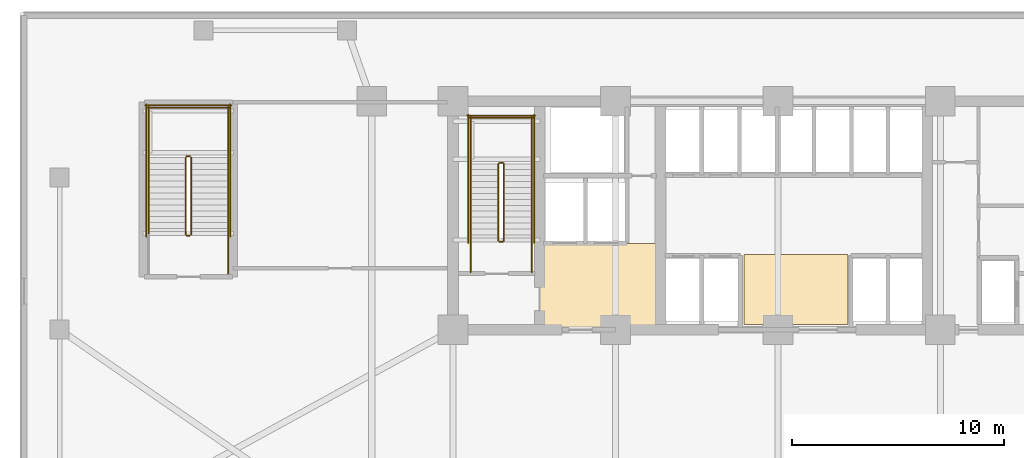
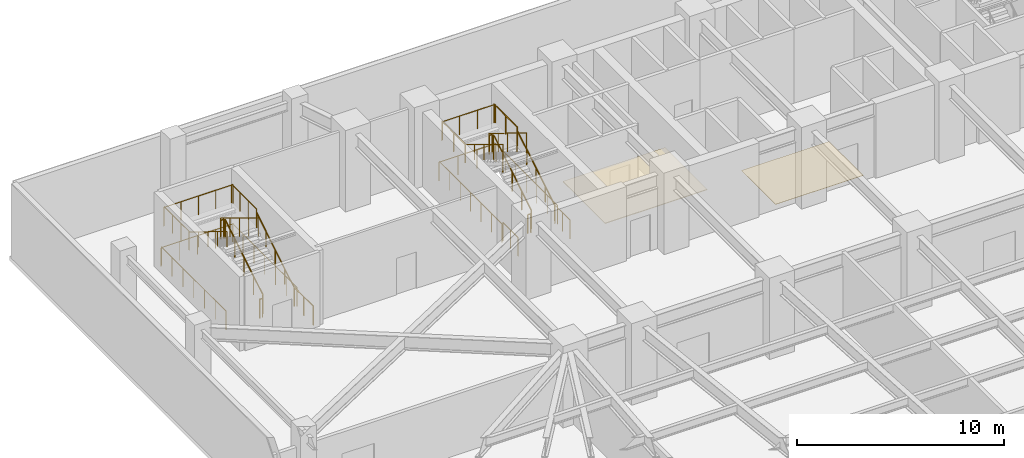
# One storey, part 12 of 15: 27 railings, 2 coverings.
"""IFC4 building model written with IfcOpenShell, lengths in metres."""

from ifc_helpers import new_model, si_unit, direction, frame, origin, origin_2d, place, context, subcontext, project, spatial, polyline, circle, outline, extrude, material, layer, layer_set, type_object, element, save


model = new_model("IFC4")

# Units and contexts
model_context = context("Model", 3, precision=1e-05, world=origin(), true_north=direction((0.0, 1.0)))
body_context = subcontext(model_context, "Body", "Model", "MODEL_VIEW")
ifc_project = project(units=[si_unit("LENGTHUNIT", "METRE"), si_unit("AREAUNIT", "SQUARE_METRE"), si_unit("VOLUMEUNIT", "CUBIC_METRE"), si_unit("PLANEANGLEUNIT", "RADIAN"), si_unit("MASSUNIT", "GRAM", prefix="KILO")], contexts=[model_context])

# Site, building, storey
site_placement = place(None, origin())
site = spatial("IfcSite", under=ifc_project, at=site_placement, CompositionType="ELEMENT")
building_placement = place(site_placement, origin())
building = spatial("IfcBuilding", under=site, at=building_placement, Name="Yelkora Congress Tower", CompositionType="ELEMENT")
storey_placement = place(building_placement, frame((0.0, 0.0, 20.39990234375)))
storey = spatial("IfcBuildingStorey", under=building, at=storey_placement, Name="L04", CompositionType="ELEMENT", Elevation=20.39990234375)

# Coverings
ifc_material_1 = material(Name="Perforated mineral-fibre acoustic ceiling", Category="gypsum")
ifc_layer_1 = layer(ifc_material_1, 0.0400390625)
ifc_layer_set_1 = layer_set([ifc_layer_1], Name="Perforated mineral-fibre acoustic ceiling")
covering_type_1 = type_object("IfcCoveringType", Name="COV-CEIL-ACOUSTIC-40", PredefinedType="CEILING", material=ifc_layer_set_1)
covering_1_placement = place(storey_placement, frame((0.0, 0.0, 2.400146484375)))
element("IfcCovering", 1, at=covering_1_placement, inside=storey, type_object=covering_type_1, Name="L04 Firefighting Lobby Acoustic Ceiling", PredefinedType="CEILING", context=body_context, shape_type="SweptSolid", body=[
    extrude(outline(polyline([(27.14990234375, 35.39990234375), (32.85009765625, 35.39990234375), (32.85009765625, 39.47998046875), (27.14990234375, 39.47998046875), (27.14990234375, 35.39990234375)])), origin(), (0.0, 0.0, 1.0), 0.0400390625),
])
ifc_material_2 = material(Name="Polished Anatolian grey granite tile", Category="masonry")
ifc_layer_2 = layer(ifc_material_2, 0.02001953125)
ifc_layer_set_2 = layer_set([ifc_layer_2], Name="Polished Anatolian grey granite tile")
covering_type_2 = type_object("IfcCoveringType", Name="COV-FLOOR-GRANITE-20", PredefinedType="FLOORING", material=ifc_layer_set_2)
covering_2_placement = place(storey_placement, origin())
element("IfcCovering", 2, at=covering_2_placement, inside=storey, type_object=covering_type_2, Name="L04 Lift Lobby Granite Flooring", PredefinedType="FLOORING", context=body_context, shape_type="SweptSolid", body=[
    extrude(outline(polyline([(36.800048828125, 35.64990234375), (41.699951171875, 35.64990234375), (41.699951171875, 38.949951171875), (36.800048828125, 38.949951171875), (36.800048828125, 35.64990234375)])), origin(), (0.0, 0.0, 1.0), 0.02001953125),
])

# Railings
ifc_material_3 = material(Name="Painted galvanised steel stair well guard with vertical infill", Category="steel")
ifc_layer_3 = layer(ifc_material_3, 0.06005859375)
ifc_layer_set_3 = layer_set([ifc_layer_3], Name="Painted galvanised steel stair well guard with vertical infill")
railing_type_1 = type_object("IfcRailingType", Name="RAIL-STAIR-GUARD-1120", PredefinedType="GUARDRAIL", material=ifc_layer_set_3)
railing_1_placement = place(storey_placement, frame((25.449951171875, 39.60009765625, 0.171630859375)))
element("IfcRailing", 3, at=railing_1_placement, inside=storey, type_object=railing_type_1, Name="ST-01 L04 Stair Well Guardrail 1", PredefinedType="GUARDRAIL", context=body_context, shape_type="SweptSolid", body=[
    extrude(circle(Radius=0.02392578125, at=origin_2d()), frame((0.0, 0.0, 1.09619140625), z_axis=(0.0, 0.852850264322, 0.5221555579), x_axis=(-1.0, 0.0, 0.0)), (0.0, 0.0, 1.0), 4.267822265625),
    extrude(circle(Radius=0.02099609375, at=origin_2d()), origin(), (0.0, 0.0, 1.0), 1.072021484375),
    extrude(circle(Radius=0.02099609375, at=origin_2d()), frame((0.0, 0.909912109375, 0.55712890625)), (0.0, 0.0, 1.0), 1.072021484375),
    extrude(circle(Radius=0.02099609375, at=origin_2d()), frame((0.0, 1.81982421875, 1.1142578125)), (0.0, 0.0, 1.0), 1.072021484375),
    extrude(circle(Radius=0.02099609375, at=origin_2d()), frame((0.0, 2.72998046875, 1.67138671875)), (0.0, 0.0, 1.0), 1.072021484375),
    extrude(circle(Radius=0.02099609375, at=origin_2d()), frame((0.0, 3.639892578125, 2.228515625)), (0.0, 0.0, 1.0), 1.072021484375),
])
railing_2_placement = place(storey_placement, frame((25.39990234375, 43.2900390625, 2.400146484375)))
element("IfcRailing", 4, at=railing_2_placement, inside=storey, type_object=railing_type_1, Name="ST-01 L04 Stair Well Guardrail 2", PredefinedType="GUARDRAIL", context=body_context, shape_type="SweptSolid", body=[
    extrude(circle(Radius=0.02392578125, at=origin_2d()), frame((0.0, 0.0, 1.09619140625), z_axis=(-1.0, 0.0, 0.0), x_axis=(0.0, -1.0, 0.0)), (0.0, 0.0, 1.0), 0.159912109375),
    extrude(circle(Radius=0.02099609375, at=origin_2d()), origin(), (0.0, 0.0, 1.0), 1.072021484375),
    extrude(circle(Radius=0.02099609375, at=origin_2d()), frame((-0.159912109375, 0.0, 0.0)), (0.0, 0.0, 1.0), 1.072021484375),
])
for number, where, name in (
    (5, (26.77001953125, 43.239990234375, 2.400146484375), "ST-01 L04 Stair Well Guardrail 3"),
    (6, (23.8701171875, 43.239990234375, 2.400146484375), "ST-01 L04 Stair Well Guardrail 4"),
):
    element("IfcRailing", number, at=place(storey_placement, frame(where)), inside=storey, type_object=railing_type_1, Name=name, PredefinedType="GUARDRAIL", context=body_context, shape_type="SweptSolid", body=[
        extrude(circle(Radius=0.02392578125, at=origin_2d()), frame((0.0, 0.0, 1.09619140625), z_axis=(0.0, 1.0, 0.0), x_axis=(-1.0, 0.0, 0.0)), (0.0, 0.0, 1.0), 2.22998046875),
        extrude(circle(Radius=0.02099609375, at=origin_2d()), origin(), (0.0, 0.0, 1.0), 1.072021484375),
        extrude(circle(Radius=0.02099609375, at=origin_2d()), frame((0.0, 1.114990234375, 0.0)), (0.0, 0.0, 1.0), 1.072021484375),
        extrude(circle(Radius=0.02099609375, at=origin_2d()), frame((0.0, 2.22998046875, 0.0)), (0.0, 0.0, 1.0), 1.072021484375),
    ])
railing_3_placement = place(storey_placement, frame((26.820068359375, 45.419921875, 2.400146484375)))
element("IfcRailing", 7, at=railing_3_placement, inside=storey, type_object=railing_type_1, Name="ST-01 L04 Stair Well Guardrail 5", PredefinedType="GUARDRAIL", context=body_context, shape_type="SweptSolid", body=[
    extrude(circle(Radius=0.02392578125, at=origin_2d()), frame((0.0, 0.0, 1.09619140625), z_axis=(-1.0, 0.0, 0.0), x_axis=(0.0, -1.0, 0.0)), (0.0, 0.0, 1.0), 3.0),
    extrude(circle(Radius=0.02099609375, at=origin_2d()), origin(), (0.0, 0.0, 1.0), 1.072021484375),
    extrude(circle(Radius=0.02099609375, at=origin_2d()), frame((-1.0, 0.0, 0.0)), (0.0, 0.0, 1.0), 1.072021484375),
    extrude(circle(Radius=0.02099609375, at=origin_2d()), frame((-2.0, 0.0, 0.0)), (0.0, 0.0, 1.0), 1.072021484375),
    extrude(circle(Radius=0.02099609375, at=origin_2d()), frame((-3.0, 0.0, 0.0)), (0.0, 0.0, 1.0), 1.072021484375),
])
railing_4_placement = place(storey_placement, frame((25.18994140625, 43.239990234375, 2.571533203125)))
element("IfcRailing", 8, at=railing_4_placement, inside=storey, type_object=railing_type_1, Name="ST-01 L04 Stair Well Guardrail 6", PredefinedType="GUARDRAIL", context=body_context, shape_type="SweptSolid", body=[
    extrude(circle(Radius=0.02392578125, at=origin_2d()), frame((0.0, 0.0, 1.09619140625), z_axis=(0.0, -0.852850264322, 0.5221555579), x_axis=(1.0, 0.0, 0.0)), (0.0, 0.0, 1.0), 4.267822265625),
    extrude(circle(Radius=0.02099609375, at=origin_2d()), origin(), (0.0, 0.0, 1.0), 1.072021484375),
    extrude(circle(Radius=0.02099609375, at=origin_2d()), frame((0.0, -0.909912109375, 0.55712890625)), (0.0, 0.0, 1.0), 1.072021484375),
    extrude(circle(Radius=0.02099609375, at=origin_2d()), frame((0.0, -1.81982421875, 1.1142578125)), (0.0, 0.0, 1.0), 1.072021484375),
    extrude(circle(Radius=0.02099609375, at=origin_2d()), frame((0.0, -2.72998046875, 1.67138671875)), (0.0, 0.0, 1.0), 1.072021484375),
    extrude(circle(Radius=0.02099609375, at=origin_2d()), frame((0.0, -3.639892578125, 2.228515625)), (0.0, 0.0, 1.0), 1.072021484375),
])
railing_5_placement = place(storey_placement, frame((25.39990234375, 39.550048828125, 0.0)))
element("IfcRailing", 9, at=railing_5_placement, inside=storey, type_object=railing_type_1, Name="ST-01 L04 Stair Well Guardrail 7", PredefinedType="GUARDRAIL", context=body_context, shape_type="SweptSolid", body=[
    extrude(circle(Radius=0.02392578125, at=origin_2d()), frame((0.0, 0.0, 1.09619140625), z_axis=(-1.0, 0.0, 0.0), x_axis=(0.0, -1.0, 0.0)), (0.0, 0.0, 1.0), 0.159912109375),
    extrude(circle(Radius=0.02099609375, at=origin_2d()), origin(), (0.0, 0.0, 1.0), 1.072021484375),
    extrude(circle(Radius=0.02099609375, at=origin_2d()), frame((-0.159912109375, 0.0, 0.0)), (0.0, 0.0, 1.0), 1.072021484375),
])
for number, where, name in (
    (10, (26.77001953125, 38.1201171875, 0.0), "ST-01 L04 Stair Well Guardrail 8"),
    (11, (23.8701171875, 38.1201171875, 0.0), "ST-01 L04 Stair Well Guardrail 9"),
):
    element("IfcRailing", number, at=place(storey_placement, frame(where)), inside=storey, type_object=railing_type_1, Name=name, PredefinedType="GUARDRAIL", context=body_context, shape_type="SweptSolid", body=[
        extrude(circle(Radius=0.02392578125, at=origin_2d()), frame((0.0, 0.0, 1.09619140625), z_axis=(0.0, 1.0, 0.0), x_axis=(-1.0, 0.0, 0.0)), (0.0, 0.0, 1.0), 1.47998046875),
        extrude(circle(Radius=0.02099609375, at=origin_2d()), origin(), (0.0, 0.0, 1.0), 1.072021484375),
        extrude(circle(Radius=0.02099609375, at=origin_2d()), frame((0.0, 0.739990234375, 0.0)), (0.0, 0.0, 1.0), 1.072021484375),
        extrude(circle(Radius=0.02099609375, at=origin_2d()), frame((0.0, 1.47998046875, 0.0)), (0.0, 0.0, 1.0), 1.072021484375),
    ])
for number, where, name in (
    (12, (26.8701171875, 39.5, 0.0), "ST-01 L04 Stair Well Guardrail 10"),
    (13, (23.77001953125, 39.5, 0.0), "ST-01 L04 Stair Well Guardrail 11"),
):
    element("IfcRailing", number, at=place(storey_placement, frame(where)), inside=storey, type_object=railing_type_1, Name=name, PredefinedType="GUARDRAIL", context=body_context, shape_type="SweptSolid", body=[
        extrude(circle(Radius=0.02392578125, at=origin_2d()), frame((0.0, 0.0, 1.09619140625), z_axis=(0.0, 1.0, 0.0), x_axis=(-1.0, 0.0, 0.0)), (0.0, 0.0, 1.0), 6.070068359375),
        extrude(circle(Radius=0.02099609375, at=origin_2d()), origin(), (0.0, 0.0, 1.0), 1.072021484375),
        extrude(circle(Radius=0.02099609375, at=origin_2d()), frame((0.0, 1.01171875, 0.0)), (0.0, 0.0, 1.0), 1.072021484375),
        extrude(circle(Radius=0.02099609375, at=origin_2d()), frame((0.0, 2.0234375, 0.0)), (0.0, 0.0, 1.0), 1.072021484375),
        extrude(circle(Radius=0.02099609375, at=origin_2d()), frame((0.0, 3.03515625, 0.0)), (0.0, 0.0, 1.0), 1.072021484375),
        extrude(circle(Radius=0.02099609375, at=origin_2d()), frame((0.0, 4.046630859375, 0.0)), (0.0, 0.0, 1.0), 1.072021484375),
        extrude(circle(Radius=0.02099609375, at=origin_2d()), frame((0.0, 5.058349609375, 0.0)), (0.0, 0.0, 1.0), 1.072021484375),
        extrude(circle(Radius=0.02099609375, at=origin_2d()), frame((0.0, 6.070068359375, 0.0)), (0.0, 0.0, 1.0), 1.072021484375),
    ])
railing_6_placement = place(storey_placement, frame((26.919921875, 45.52001953125, 0.0)))
element("IfcRailing", 14, at=railing_6_placement, inside=storey, type_object=railing_type_1, Name="ST-01 L04 Stair Well Guardrail 12", PredefinedType="GUARDRAIL", context=body_context, shape_type="SweptSolid", body=[
    extrude(circle(Radius=0.02392578125, at=origin_2d()), frame((0.0, 0.0, 1.09619140625), z_axis=(-1.0, 0.0, 0.0), x_axis=(0.0, -1.0, 0.0)), (0.0, 0.0, 1.0), 3.199951171875),
    extrude(circle(Radius=0.02099609375, at=origin_2d()), origin(), (0.0, 0.0, 1.0), 1.072021484375),
    extrude(circle(Radius=0.02099609375, at=origin_2d()), frame((-1.066650390625, 0.0, 0.0)), (0.0, 0.0, 1.0), 1.072021484375),
    extrude(circle(Radius=0.02099609375, at=origin_2d()), frame((-2.13330078125, 0.0, 0.0)), (0.0, 0.0, 1.0), 1.072021484375),
    extrude(circle(Radius=0.02099609375, at=origin_2d()), frame((-3.199951171875, 0.0, 0.0)), (0.0, 0.0, 1.0), 1.072021484375),
])
railing_7_placement = place(storey_placement, frame((10.659912109375, 39.89990234375, 0.171630859375)))
element("IfcRailing", 15, at=railing_7_placement, inside=storey, type_object=railing_type_1, Name="ST-P1 L04 Stair Well Guardrail 1", PredefinedType="GUARDRAIL", context=body_context, shape_type="SweptSolid", body=[
    extrude(circle(Radius=0.02392578125, at=origin_2d()), frame((0.0, 0.0, 1.09619140625), z_axis=(0.0, 0.852865859571, 0.52213008492), x_axis=(-1.0, 0.0, 0.0)), (0.0, 0.0, 1.0), 4.26806640625),
    extrude(circle(Radius=0.02099609375, at=origin_2d()), origin(), (0.0, 0.0, 1.0), 1.072021484375),
    extrude(circle(Radius=0.02099609375, at=origin_2d()), frame((0.0, 0.91015625, 0.55712890625)), (0.0, 0.0, 1.0), 1.072021484375),
    extrude(circle(Radius=0.02099609375, at=origin_2d()), frame((0.0, 1.820068359375, 1.1142578125)), (0.0, 0.0, 1.0), 1.072021484375),
    extrude(circle(Radius=0.02099609375, at=origin_2d()), frame((0.0, 2.72998046875, 1.67138671875)), (0.0, 0.0, 1.0), 1.072021484375),
    extrude(circle(Radius=0.02099609375, at=origin_2d()), frame((0.0, 3.64013671875, 2.228515625)), (0.0, 0.0, 1.0), 1.072021484375),
])
railing_8_placement = place(storey_placement, frame((10.610107421875, 43.590087890625, 2.400146484375)))
element("IfcRailing", 16, at=railing_8_placement, inside=storey, type_object=railing_type_1, Name="ST-P1 L04 Stair Well Guardrail 2", PredefinedType="GUARDRAIL", context=body_context, shape_type="SweptSolid", body=[
    extrude(circle(Radius=0.02392578125, at=origin_2d()), frame((0.0, 0.0, 1.09619140625), z_axis=(-1.0, 0.0, 0.0), x_axis=(0.0, -1.0, 0.0)), (0.0, 0.0, 1.0), 0.16015625),
    extrude(circle(Radius=0.02099609375, at=origin_2d()), origin(), (0.0, 0.0, 1.0), 1.072021484375),
    extrude(circle(Radius=0.02099609375, at=origin_2d()), frame((-0.16015625, 0.0, 0.0)), (0.0, 0.0, 1.0), 1.072021484375),
])
for number, where, name in (
    (17, (12.409912109375, 43.5400390625, 2.400146484375), "ST-P1 L04 Stair Well Guardrail 3"),
    (18, (8.64990234375, 43.5400390625, 2.400146484375), "ST-P1 L04 Stair Well Guardrail 4"),
):
    element("IfcRailing", number, at=place(storey_placement, frame(where)), inside=storey, type_object=railing_type_1, Name=name, PredefinedType="GUARDRAIL", context=body_context, shape_type="SweptSolid", body=[
        extrude(circle(Radius=0.02392578125, at=origin_2d()), frame((0.0, 0.0, 1.09619140625), z_axis=(0.0, 1.0, 0.0), x_axis=(-1.0, 0.0, 0.0)), (0.0, 0.0, 1.0), 2.409912109375),
        extrude(circle(Radius=0.02099609375, at=origin_2d()), origin(), (0.0, 0.0, 1.0), 1.072021484375),
        extrude(circle(Radius=0.02099609375, at=origin_2d()), frame((0.0, 0.80322265625, 0.0)), (0.0, 0.0, 1.0), 1.072021484375),
        extrude(circle(Radius=0.02099609375, at=origin_2d()), frame((0.0, 1.606689453125, 0.0)), (0.0, 0.0, 1.0), 1.072021484375),
        extrude(circle(Radius=0.02099609375, at=origin_2d()), frame((0.0, 2.409912109375, 0.0)), (0.0, 0.0, 1.0), 1.072021484375),
    ])
railing_9_placement = place(storey_placement, frame((12.4599609375, 45.89990234375, 2.400146484375)))
element("IfcRailing", 19, at=railing_9_placement, inside=storey, type_object=railing_type_1, Name="ST-P1 L04 Stair Well Guardrail 5", PredefinedType="GUARDRAIL", context=body_context, shape_type="SweptSolid", body=[
    extrude(circle(Radius=0.02392578125, at=origin_2d()), frame((0.0, 0.0, 1.09619140625), z_axis=(-1.0, 0.0, 0.0), x_axis=(0.0, -1.0, 0.0)), (0.0, 0.0, 1.0), 3.85986328125),
    extrude(circle(Radius=0.02099609375, at=origin_2d()), origin(), (0.0, 0.0, 1.0), 1.072021484375),
    extrude(circle(Radius=0.02099609375, at=origin_2d()), frame((-0.96484375, 0.0, 0.0)), (0.0, 0.0, 1.0), 1.072021484375),
    extrude(circle(Radius=0.02099609375, at=origin_2d()), frame((-1.929931640625, 0.0, 0.0)), (0.0, 0.0, 1.0), 1.072021484375),
    extrude(circle(Radius=0.02099609375, at=origin_2d()), frame((-2.89501953125, 0.0, 0.0)), (0.0, 0.0, 1.0), 1.072021484375),
    extrude(circle(Radius=0.02099609375, at=origin_2d()), frame((-3.85986328125, 0.0, 0.0)), (0.0, 0.0, 1.0), 1.072021484375),
])
railing_10_placement = place(storey_placement, frame((10.39990234375, 43.5400390625, 2.571533203125)))
element("IfcRailing", 20, at=railing_10_placement, inside=storey, type_object=railing_type_1, Name="ST-P1 L04 Stair Well Guardrail 6", PredefinedType="GUARDRAIL", context=body_context, shape_type="SweptSolid", body=[
    extrude(circle(Radius=0.02392578125, at=origin_2d()), frame((0.0, 0.0, 1.09619140625), z_axis=(0.0, -0.852865859571, 0.52213008492), x_axis=(1.0, 0.0, 0.0)), (0.0, 0.0, 1.0), 4.26806640625),
    extrude(circle(Radius=0.02099609375, at=origin_2d()), origin(), (0.0, 0.0, 1.0), 1.072021484375),
    extrude(circle(Radius=0.02099609375, at=origin_2d()), frame((0.0, -0.91015625, 0.55712890625)), (0.0, 0.0, 1.0), 1.072021484375),
    extrude(circle(Radius=0.02099609375, at=origin_2d()), frame((0.0, -1.820068359375, 1.1142578125)), (0.0, 0.0, 1.0), 1.072021484375),
    extrude(circle(Radius=0.02099609375, at=origin_2d()), frame((0.0, -2.72998046875, 1.67138671875)), (0.0, 0.0, 1.0), 1.072021484375),
    extrude(circle(Radius=0.02099609375, at=origin_2d()), frame((0.0, -3.64013671875, 2.228515625)), (0.0, 0.0, 1.0), 1.072021484375),
])
railing_11_placement = place(storey_placement, frame((10.610107421875, 39.85009765625, 0.0)))
element("IfcRailing", 21, at=railing_11_placement, inside=storey, type_object=railing_type_1, Name="ST-P1 L04 Stair Well Guardrail 7", PredefinedType="GUARDRAIL", context=body_context, shape_type="SweptSolid", body=[
    extrude(circle(Radius=0.02392578125, at=origin_2d()), frame((0.0, 0.0, 1.09619140625), z_axis=(-1.0, 0.0, 0.0), x_axis=(0.0, -1.0, 0.0)), (0.0, 0.0, 1.0), 0.16015625),
    extrude(circle(Radius=0.02099609375, at=origin_2d()), origin(), (0.0, 0.0, 1.0), 1.072021484375),
    extrude(circle(Radius=0.02099609375, at=origin_2d()), frame((-0.16015625, 0.0, 0.0)), (0.0, 0.0, 1.0), 1.072021484375),
])
railing_12_placement = place(storey_placement, frame((12.409912109375, 38.050048828125, 0.0)))
element("IfcRailing", 22, at=railing_12_placement, inside=storey, type_object=railing_type_1, Name="ST-P1 L04 Stair Well Guardrail 8", PredefinedType="GUARDRAIL", context=body_context, shape_type="SweptSolid", body=[
    extrude(circle(Radius=0.02392578125, at=origin_2d()), frame((0.0, 0.0, 1.09619140625), z_axis=(0.0, 1.0, 0.0), x_axis=(-1.0, 0.0, 0.0)), (0.0, 0.0, 1.0), 1.849853515625),
    extrude(circle(Radius=0.02099609375, at=origin_2d()), origin(), (0.0, 0.0, 1.0), 1.072021484375),
    extrude(circle(Radius=0.02099609375, at=origin_2d()), frame((0.0, 0.9248046875, 0.0)), (0.0, 0.0, 1.0), 1.072021484375),
    extrude(circle(Radius=0.02099609375, at=origin_2d()), frame((0.0, 1.849853515625, 0.0)), (0.0, 0.0, 1.0), 1.072021484375),
])
for number, where, name in (
    (23, (12.510009765625, 39.800048828125, 0.0), "ST-P1 L04 Stair Well Guardrail 10"),
    (24, (8.550048828125, 39.800048828125, 0.0), "ST-P1 L04 Stair Well Guardrail 11"),
):
    element("IfcRailing", number, at=place(storey_placement, frame(where)), inside=storey, type_object=railing_type_1, Name=name, PredefinedType="GUARDRAIL", context=body_context, shape_type="SweptSolid", body=[
        extrude(circle(Radius=0.02392578125, at=origin_2d()), frame((0.0, 0.0, 1.09619140625), z_axis=(0.0, 1.0, 0.0), x_axis=(-1.0, 0.0, 0.0)), (0.0, 0.0, 1.0), 6.25),
        extrude(circle(Radius=0.02099609375, at=origin_2d()), origin(), (0.0, 0.0, 1.0), 1.072021484375),
        extrude(circle(Radius=0.02099609375, at=origin_2d()), frame((0.0, 1.041748046875, 0.0)), (0.0, 0.0, 1.0), 1.072021484375),
        extrude(circle(Radius=0.02099609375, at=origin_2d()), frame((0.0, 2.083251953125, 0.0)), (0.0, 0.0, 1.0), 1.072021484375),
        extrude(circle(Radius=0.02099609375, at=origin_2d()), frame((0.0, 3.125, 0.0)), (0.0, 0.0, 1.0), 1.072021484375),
        extrude(circle(Radius=0.02099609375, at=origin_2d()), frame((0.0, 4.166748046875, 0.0)), (0.0, 0.0, 1.0), 1.072021484375),
        extrude(circle(Radius=0.02099609375, at=origin_2d()), frame((0.0, 5.208251953125, 0.0)), (0.0, 0.0, 1.0), 1.072021484375),
        extrude(circle(Radius=0.02099609375, at=origin_2d()), frame((0.0, 6.25, 0.0)), (0.0, 0.0, 1.0), 1.072021484375),
    ])
railing_13_placement = place(storey_placement, frame((12.56005859375, 46.0, 0.0)))
element("IfcRailing", 25, at=railing_13_placement, inside=storey, type_object=railing_type_1, Name="ST-P1 L04 Stair Well Guardrail 12", PredefinedType="GUARDRAIL", context=body_context, shape_type="SweptSolid", body=[
    extrude(circle(Radius=0.02392578125, at=origin_2d()), frame((0.0, 0.0, 1.09619140625), z_axis=(-1.0, 0.0, 0.0), x_axis=(0.0, -1.0, 0.0)), (0.0, 0.0, 1.0), 4.06005859375),
    extrude(circle(Radius=0.02099609375, at=origin_2d()), origin(), (0.0, 0.0, 1.0), 1.072021484375),
    extrude(circle(Radius=0.02099609375, at=origin_2d()), frame((-1.01513671875, 0.0, 0.0)), (0.0, 0.0, 1.0), 1.072021484375),
    extrude(circle(Radius=0.02099609375, at=origin_2d()), frame((-2.030029296875, 0.0, 0.0)), (0.0, 0.0, 1.0), 1.072021484375),
    extrude(circle(Radius=0.02099609375, at=origin_2d()), frame((-3.044921875, 0.0, 0.0)), (0.0, 0.0, 1.0), 1.072021484375),
    extrude(circle(Radius=0.02099609375, at=origin_2d()), frame((-4.06005859375, 0.0, 0.0)), (0.0, 0.0, 1.0), 1.072021484375),
])
ifc_material_4 = material(Name="Brushed stainless steel tubular handrail", Category="steel")
ifc_layer_4 = layer(ifc_material_4, 0.050048828125)
ifc_layer_set_4 = layer_set([ifc_layer_4], Name="Brushed stainless steel tubular handrail")
railing_type_2 = type_object("IfcRailingType", Name="RAIL-STAIR-HAND-920", PredefinedType="HANDRAIL", material=ifc_layer_set_4)
railing_14_placement = place(storey_placement, frame((26.77001953125, 39.60009765625, 0.171630859375)))
element("IfcRailing", 26, at=railing_14_placement, inside=storey, type_object=railing_type_2, Name="ST-01 L04 Pitch Handrail 1", PredefinedType="HANDRAIL", context=body_context, shape_type="SweptSolid", body=[
    extrude(circle(Radius=0.02392578125, at=origin_2d()), frame((0.0, 0.0, 0.89599609375), z_axis=(0.0, 0.852850264322, 0.5221555579), x_axis=(-1.0, 0.0, 0.0)), (0.0, 0.0, 1.0), 4.267822265625),
    extrude(circle(Radius=0.02099609375, at=origin_2d()), origin(), (0.0, 0.0, 1.0), 0.871826171875),
    extrude(circle(Radius=0.02099609375, at=origin_2d()), frame((0.0, 0.909912109375, 0.55712890625)), (0.0, 0.0, 1.0), 0.871826171875),
    extrude(circle(Radius=0.02099609375, at=origin_2d()), frame((0.0, 1.81982421875, 1.1142578125)), (0.0, 0.0, 1.0), 0.871826171875),
    extrude(circle(Radius=0.02099609375, at=origin_2d()), frame((0.0, 2.72998046875, 1.67138671875)), (0.0, 0.0, 1.0), 0.871826171875),
    extrude(circle(Radius=0.02099609375, at=origin_2d()), frame((0.0, 3.639892578125, 2.228515625)), (0.0, 0.0, 1.0), 0.871826171875),
])
railing_15_placement = place(storey_placement, frame((23.8701171875, 43.239990234375, 2.571533203125)))
element("IfcRailing", 27, at=railing_15_placement, inside=storey, type_object=railing_type_2, Name="ST-01 L04 Pitch Handrail 2", PredefinedType="HANDRAIL", context=body_context, shape_type="SweptSolid", body=[
    extrude(circle(Radius=0.02392578125, at=origin_2d()), frame((0.0, 0.0, 0.89599609375), z_axis=(0.0, -0.852850264322, 0.5221555579), x_axis=(1.0, 0.0, 0.0)), (0.0, 0.0, 1.0), 4.267822265625),
    extrude(circle(Radius=0.02099609375, at=origin_2d()), origin(), (0.0, 0.0, 1.0), 0.871826171875),
    extrude(circle(Radius=0.02099609375, at=origin_2d()), frame((0.0, -0.909912109375, 0.55712890625)), (0.0, 0.0, 1.0), 0.871826171875),
    extrude(circle(Radius=0.02099609375, at=origin_2d()), frame((0.0, -1.81982421875, 1.1142578125)), (0.0, 0.0, 1.0), 0.871826171875),
    extrude(circle(Radius=0.02099609375, at=origin_2d()), frame((0.0, -2.72998046875, 1.67138671875)), (0.0, 0.0, 1.0), 0.871826171875),
    extrude(circle(Radius=0.02099609375, at=origin_2d()), frame((0.0, -3.639892578125, 2.228515625)), (0.0, 0.0, 1.0), 0.871826171875),
])
railing_16_placement = place(storey_placement, frame((12.409912109375, 39.89990234375, 0.171630859375)))
element("IfcRailing", 28, at=railing_16_placement, inside=storey, type_object=railing_type_2, Name="ST-P1 L04 Pitch Handrail 1", PredefinedType="HANDRAIL", context=body_context, shape_type="SweptSolid", body=[
    extrude(circle(Radius=0.02392578125, at=origin_2d()), frame((0.0, 0.0, 0.89599609375), z_axis=(0.0, 0.852865859571, 0.52213008492), x_axis=(-1.0, 0.0, 0.0)), (0.0, 0.0, 1.0), 4.26806640625),
    extrude(circle(Radius=0.02099609375, at=origin_2d()), origin(), (0.0, 0.0, 1.0), 0.871826171875),
    extrude(circle(Radius=0.02099609375, at=origin_2d()), frame((0.0, 0.91015625, 0.55712890625)), (0.0, 0.0, 1.0), 0.871826171875),
    extrude(circle(Radius=0.02099609375, at=origin_2d()), frame((0.0, 1.820068359375, 1.1142578125)), (0.0, 0.0, 1.0), 0.871826171875),
    extrude(circle(Radius=0.02099609375, at=origin_2d()), frame((0.0, 2.72998046875, 1.67138671875)), (0.0, 0.0, 1.0), 0.871826171875),
    extrude(circle(Radius=0.02099609375, at=origin_2d()), frame((0.0, 3.64013671875, 2.228515625)), (0.0, 0.0, 1.0), 0.871826171875),
])
railing_17_placement = place(storey_placement, frame((8.64990234375, 43.5400390625, 2.571533203125)))
element("IfcRailing", 29, at=railing_17_placement, inside=storey, type_object=railing_type_2, Name="ST-P1 L04 Pitch Handrail 2", PredefinedType="HANDRAIL", context=body_context, shape_type="SweptSolid", body=[
    extrude(circle(Radius=0.02392578125, at=origin_2d()), frame((0.0, 0.0, 0.89599609375), z_axis=(0.0, -0.852865859571, 0.52213008492), x_axis=(1.0, 0.0, 0.0)), (0.0, 0.0, 1.0), 4.26806640625),
    extrude(circle(Radius=0.02099609375, at=origin_2d()), origin(), (0.0, 0.0, 1.0), 0.871826171875),
    extrude(circle(Radius=0.02099609375, at=origin_2d()), frame((0.0, -0.91015625, 0.55712890625)), (0.0, 0.0, 1.0), 0.871826171875),
    extrude(circle(Radius=0.02099609375, at=origin_2d()), frame((0.0, -1.820068359375, 1.1142578125)), (0.0, 0.0, 1.0), 0.871826171875),
    extrude(circle(Radius=0.02099609375, at=origin_2d()), frame((0.0, -2.72998046875, 1.67138671875)), (0.0, 0.0, 1.0), 0.871826171875),
    extrude(circle(Radius=0.02099609375, at=origin_2d()), frame((0.0, -3.64013671875, 2.228515625)), (0.0, 0.0, 1.0), 0.871826171875),
])

save(model, "model.ifc")
